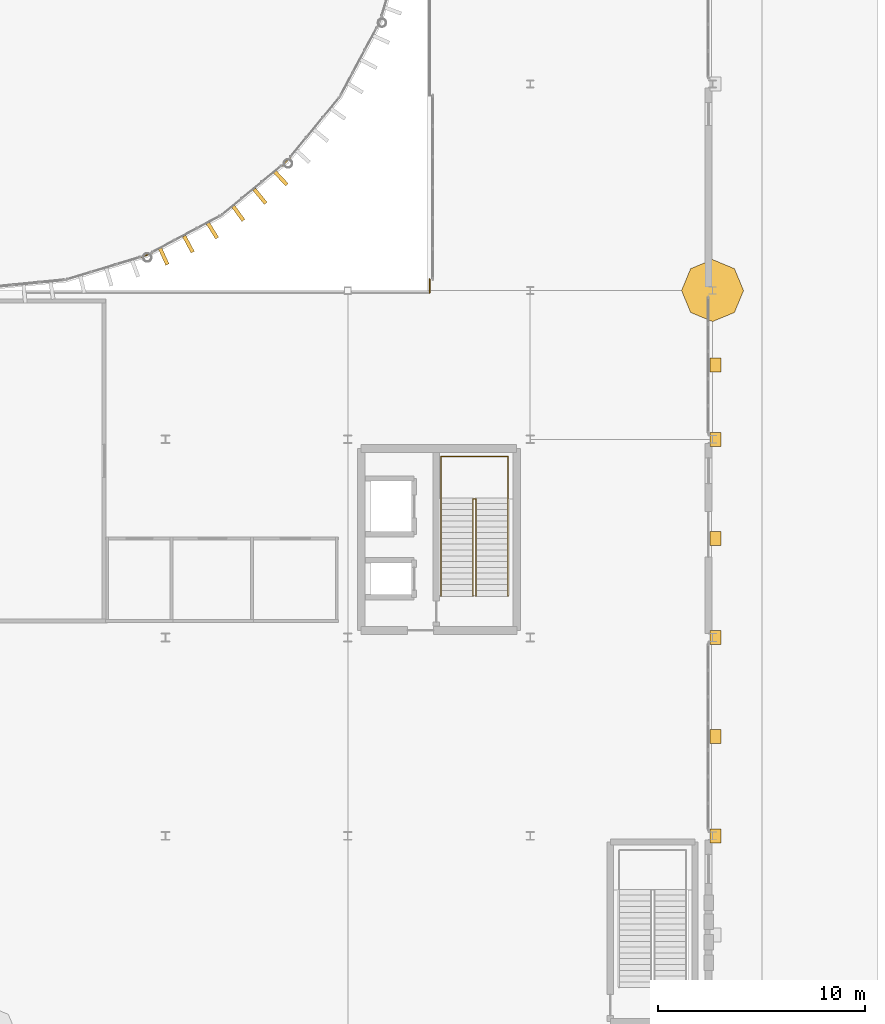
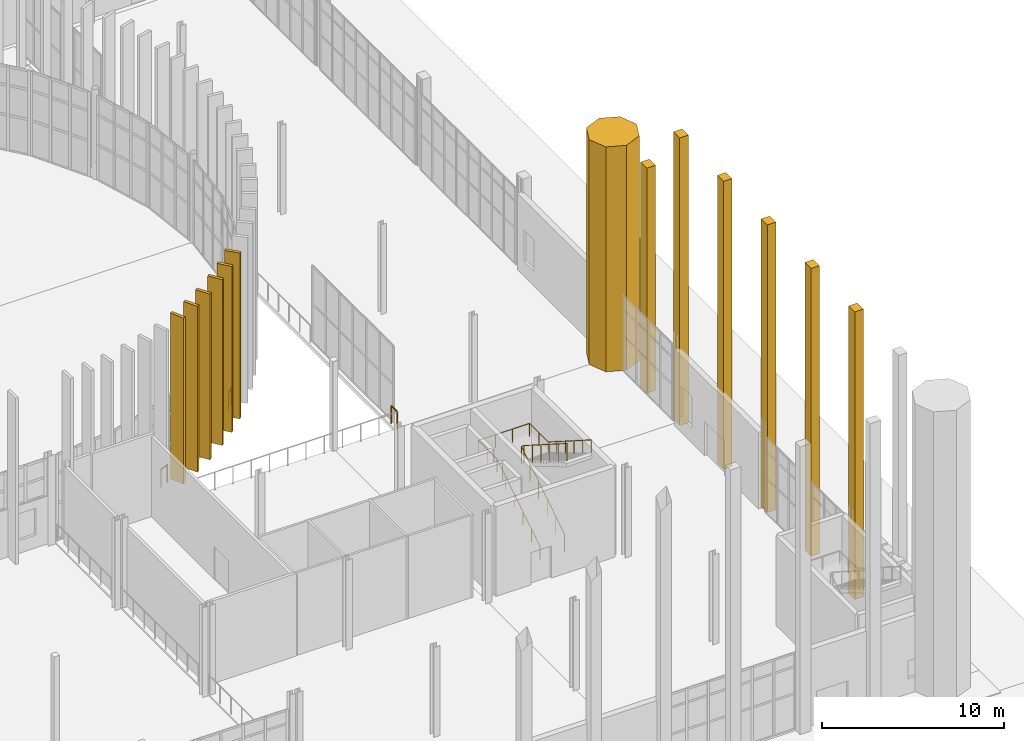
# One storey, part 129 of 139: 13 coverings, 5 railings.
"""IFC4 building model written with IfcOpenShell, lengths in metres."""

from ifc_helpers import new_model, si_unit, direction, frame, origin, origin_2d, place, context, subcontext, project, spatial, polyline, rectangle, circle, outline, extrude, material, layer, layer_set, type_object, element, save


model = new_model("IFC4")

# Units and contexts
model_context = context("Model", 3, precision=1e-05, world=origin(), true_north=direction((0.0, 1.0)))
body_context = subcontext(model_context, "Body", "Model", "MODEL_VIEW")
ifc_project = project(units=[si_unit("LENGTHUNIT", "METRE"), si_unit("AREAUNIT", "SQUARE_METRE"), si_unit("VOLUMEUNIT", "CUBIC_METRE"), si_unit("PLANEANGLEUNIT", "RADIAN"), si_unit("MASSUNIT", "GRAM", prefix="KILO")], contexts=[model_context])

# Site, building, storey
site_placement = place(None, origin())
site = spatial("IfcSite", under=ifc_project, at=site_placement, CompositionType="ELEMENT")
building_placement = place(site_placement, origin())
building = spatial("IfcBuilding", under=site, at=building_placement, Name="Yeouljin Market Hall", CompositionType="ELEMENT")
storey_placement = place(building_placement, origin())
storey = spatial("IfcBuildingStorey", under=building, at=storey_placement, Name="L00", CompositionType="ELEMENT", Elevation=0.0)

# Coverings
ifc_material_1 = material(Name="Clinker Brick Masonry F2-S2", Category="masonry")
ifc_layer_1 = layer(ifc_material_1, 0.5400390625)
ifc_layer_set_1 = layer_set([ifc_layer_1], Name="Clinker Brick Masonry F2-S2")
covering_type_1 = type_object("IfcCoveringType", Name="Covering_Clinker_PleatedPier", PredefinedType="CLADDING", material=ifc_layer_set_1)
covering_1_placement = place(storey_placement, origin())
element("IfcCovering", 1, at=covering_1_placement, inside=storey, type_object=covering_type_1, Name="Amsterdam School sculpted brick corner turret NE-V3", PredefinedType="CLADDING", context=body_context, shape_type="SweptSolid", body=[
    extrude(outline(polyline([(177.89990234375, 36.0), (177.460693359375, 37.060791015625), (176.39990234375, 37.5), (175.33935546875, 37.060791015625), (174.89990234375, 36.0), (175.33935546875, 34.939208984375), (176.39990234375, 34.5), (177.460693359375, 34.939208984375), (177.89990234375, 36.0)])), origin(), (0.0, 0.0, 1.0), 15.050048828125),
])
covering_2_placement = place(storey_placement, origin())
element("IfcCovering", 2, at=covering_2_placement, inside=storey, type_object=covering_type_1, Name="Pleated clinker-brick east facade pier E-023", PredefinedType="CLADDING", context=body_context, shape_type="SweptSolid", body=[
    extrude(outline(polyline([(176.280029296875, 9.260009765625), (176.820068359375, 9.260009765625), (176.820068359375, 9.93994140625), (176.280029296875, 9.93994140625), (176.280029296875, 9.260009765625)])), origin(), (0.0, 0.0, 1.0), 19.25),
])
covering_3_placement = place(storey_placement, origin())
element("IfcCovering", 3, at=covering_3_placement, inside=storey, type_object=covering_type_1, Name="Pleated clinker-brick east facade pier E-024", PredefinedType="CLADDING", context=body_context, shape_type="SweptSolid", body=[
    extrude(outline(polyline([(176.280029296875, 14.06005859375), (176.820068359375, 14.06005859375), (176.820068359375, 14.739990234375), (176.280029296875, 14.739990234375), (176.280029296875, 14.06005859375)])), origin(), (0.0, 0.0, 1.0), 19.25),
])
covering_4_placement = place(storey_placement, origin())
element("IfcCovering", 4, at=covering_4_placement, inside=storey, type_object=covering_type_1, Name="Pleated clinker-brick east facade pier E-025", PredefinedType="CLADDING", context=body_context, shape_type="SweptSolid", body=[
    extrude(outline(polyline([(176.280029296875, 18.860107421875), (176.820068359375, 18.860107421875), (176.820068359375, 19.5400390625), (176.280029296875, 19.5400390625), (176.280029296875, 18.860107421875)])), origin(), (0.0, 0.0, 1.0), 19.25),
])
covering_5_placement = place(storey_placement, origin())
element("IfcCovering", 5, at=covering_5_placement, inside=storey, type_object=covering_type_1, Name="Pleated clinker-brick east facade pier E-026", PredefinedType="CLADDING", context=body_context, shape_type="SweptSolid", body=[
    extrude(outline(polyline([(176.280029296875, 23.659912109375), (176.820068359375, 23.659912109375), (176.820068359375, 24.340087890625), (176.280029296875, 24.340087890625), (176.280029296875, 23.659912109375)])), origin(), (0.0, 0.0, 1.0), 19.25),
])
covering_6_placement = place(storey_placement, origin())
element("IfcCovering", 6, at=covering_6_placement, inside=storey, type_object=covering_type_1, Name="Pleated clinker-brick east facade pier E-027", PredefinedType="CLADDING", context=body_context, shape_type="SweptSolid", body=[
    extrude(outline(polyline([(176.280029296875, 28.4599609375), (176.820068359375, 28.4599609375), (176.820068359375, 29.139892578125), (176.280029296875, 29.139892578125), (176.280029296875, 28.4599609375)])), origin(), (0.0, 0.0, 1.0), 19.25),
])
covering_7_placement = place(storey_placement, origin())
element("IfcCovering", 7, at=covering_7_placement, inside=storey, type_object=covering_type_1, Name="Pleated clinker-brick east facade pier E-028", PredefinedType="CLADDING", context=body_context, shape_type="SweptSolid", body=[
    extrude(outline(polyline([(176.280029296875, 32.06005859375), (176.820068359375, 32.06005859375), (176.820068359375, 32.739990234375), (176.280029296875, 32.739990234375), (176.280029296875, 32.06005859375)])), origin(), (0.0, 0.0, 1.0), 15.050048828125),
])
ifc_material_2 = material(Name="White Limestone and Bronze Solar Fin", Category="masonry")
ifc_layer_2 = layer(ifc_material_2, 0.179931640625)
ifc_layer_set_2 = layer_set([ifc_layer_2], Name="White Limestone and Bronze Solar Fin")
covering_type_2 = type_object("IfcCoveringType", Name="Covering_Limestone_SolarFin", PredefinedType="CLADDING", material=ifc_layer_set_2)
for number, where, z_axis, x_axis, name in (
    (8, (149.82470703125, 37.658203125, 0.0), (0.0, 0.0, 1.0), (0.415169640396, -0.909744013277, 0.0), "Apse radial vertical lantern fin east 144"),
    (9, (151.02197265625, 38.25048828125, 0.0), (0.0, 0.0, 1.0), (0.47147369718, -0.881880123865, 0.0), "Apse radial vertical lantern fin east 145"),
    (10, (152.179443359375, 38.91650390625, 0.0), (0.0, 0.0, 1.0), (0.525917062677, -0.850535856496, 0.0), "Apse radial vertical lantern fin east 146"),
    (11, (153.4287109375, 39.75146484375, 0.0), (0.0, 0.0, 1.0), (0.584532922799, -0.811369990919, 0.0), "Apse radial vertical lantern fin east 147"),
    (12, (154.4873046875, 40.56591796875, 0.0), (0.0, 0.0, 1.0), (0.634460739636, -0.772955089162, 0.0), "Apse radial vertical lantern fin east 148"),
    (13, (155.492431640625, 41.445068359375, 0.0), (0.0, 0.0, 1.0), (0.681743027916, -0.731591719395, 0.0), "Apse radial vertical lantern fin east 149"),
):
    element("IfcCovering", number, at=place(storey_placement, frame(where, z_axis=z_axis, x_axis=x_axis)), inside=storey, type_object=covering_type_2, Name=name, PredefinedType="CLADDING", context=body_context, shape_type="SweptSolid", body=[
        extrude(rectangle(XDim=0.8798828125, YDim=0.179931640625, at=origin_2d()), origin(), (0.0, 0.0, 1.0), 11.10009765625),
    ])

# Railings
ifc_material_3 = material(Name="Wrought Iron and Bronze Gallery Balustrade")
railing_type_1 = type_object("IfcRailingType", Name="Railing_AtriumBalustrade_1200", PredefinedType="BALUSTRADE", material=ifc_material_3)
railing_1_placement = place(storey_placement, frame((162.699951171875, 35.89990234375, 0.0)))
element("IfcRailing", 14, at=railing_1_placement, inside=storey, type_object=railing_type_1, Name="Gallery & deck edge balustrade L00-001", PredefinedType="BALUSTRADE", context=body_context, shape_type="SweptSolid", body=[
    extrude(circle(Radius=0.02392578125, at=origin_2d()), frame((0.0, 0.0, 1.17578125), z_axis=(0.0, 1.0, 0.0), x_axis=(-1.0, 0.0, 0.0)), (0.0, 0.0, 1.0), 0.650146484375),
    extrude(circle(Radius=0.02099609375, at=origin_2d()), origin(), (0.0, 0.0, 1.0), 1.15185546875),
    extrude(circle(Radius=0.02099609375, at=origin_2d()), frame((0.0, 0.650146484375, 0.0)), (0.0, 0.0, 1.0), 1.15185546875),
])
railing_2_placement = place(storey_placement, frame((155.95703125, 42.439697265625, 0.0)))
element("IfcRailing", 15, at=railing_2_placement, inside=storey, type_object=railing_type_1, Name="Gallery & deck edge balustrade L00-031", PredefinedType="BALUSTRADE", context=body_context, shape_type="SweptSolid", body=[
    extrude(circle(Radius=0.02392578125, at=origin_2d()), frame((0.0, 0.0, 1.17578125), z_axis=(-0.707106781187, -0.707106781187, 0.0), x_axis=(0.707106781187, -0.707106781187, 0.0)), (0.0, 0.0, 1.0), 0.56103515625),
    extrude(circle(Radius=0.02099609375, at=origin_2d()), origin(), (0.0, 0.0, 1.0), 1.15185546875),
    extrude(circle(Radius=0.02099609375, at=origin_2d()), frame((-0.396728515625, -0.396728515625, 0.0)), (0.0, 0.0, 1.0), 1.15185546875),
])
railing_3_placement = place(storey_placement, frame((149.24658203125, 37.82421875, 0.0)))
element("IfcRailing", 16, at=railing_3_placement, inside=storey, type_object=railing_type_1, Name="Gallery & deck edge balustrade L00-032", PredefinedType="BALUSTRADE", context=body_context, shape_type="SweptSolid", body=[
    extrude(circle(Radius=0.02392578125, at=origin_2d()), frame((0.0, 0.0, 1.17578125), z_axis=(-0.924000932097, -0.382390216249, 0.0), x_axis=(0.382390216249, -0.924000932097, 0.0)), (0.0, 0.0, 1.0), 0.561279296875),
    extrude(circle(Radius=0.02099609375, at=origin_2d()), origin(), (0.0, 0.0, 1.0), 1.15185546875),
    extrude(circle(Radius=0.02099609375, at=origin_2d()), frame((-0.5185546875, -0.214599609375, 0.0)), (0.0, 0.0, 1.0), 1.15185546875),
])
ifc_material_4 = material(Name="Painted Steel Stair Guardrail", Category="steel")
railing_type_2 = type_object("IfcRailingType", Name="Railing_StairGuard_1200", PredefinedType="GUARDRAIL", material=ifc_material_4)
railing_4_placement = place(storey_placement, frame((164.7900390625, 21.199951171875, 0.0)))
element("IfcRailing", 17, at=railing_4_placement, inside=storey, type_object=railing_type_2, Name="Stair ST-C3-L00 inner well guardrail", PredefinedType="GUARDRAIL", context=body_context, shape_type="SweptSolid", body=[
    extrude(circle(Radius=0.02392578125, at=origin_2d()), frame((0.0, 0.0, 1.17578125), z_axis=(0.0, 0.84395435455, 0.536414995537), x_axis=(-1.0, 0.0, 0.0)), (0.0, 0.0, 1.0), 5.5927734375),
    extrude(circle(Radius=0.02392578125, at=origin_2d()), frame((0.0, 4.719970703125, 4.17578125), z_axis=(1.0, 0.0, 0.0), x_axis=(0.0, 1.0, 0.0)), (0.0, 0.0, 1.0), 0.159912109375),
    extrude(circle(Radius=0.02392578125, at=origin_2d()), frame((0.159912109375, 4.719970703125, 4.17578125), z_axis=(0.0, -0.84395435455, 0.536414995537), x_axis=(1.0, 0.0, 0.0)), (0.0, 0.0, 1.0), 5.5927734375),
    extrude(circle(Radius=0.02099609375, at=origin_2d()), origin(), (0.0, 0.0, 1.0), 1.15185546875),
    extrude(circle(Radius=0.02099609375, at=origin_2d()), frame((0.0, 0.944091796875, 0.60009765625)), (0.0, 0.0, 1.0), 1.15185546875),
    extrude(circle(Radius=0.02099609375, at=origin_2d()), frame((0.0, 1.887939453125, 1.199951171875)), (0.0, 0.0, 1.0), 1.15185546875),
    extrude(circle(Radius=0.02099609375, at=origin_2d()), frame((0.0, 2.83203125, 1.800048828125)), (0.0, 0.0, 1.0), 1.15185546875),
    extrude(circle(Radius=0.02099609375, at=origin_2d()), frame((0.0, 3.77587890625, 2.39990234375)), (0.0, 0.0, 1.0), 1.15185546875),
    extrude(circle(Radius=0.02099609375, at=origin_2d()), frame((0.0, 4.719970703125, 3.0)), (0.0, 0.0, 1.0), 1.15185546875),
    extrude(circle(Radius=0.02099609375, at=origin_2d()), frame((0.159912109375, 4.719970703125, 3.0)), (0.0, 0.0, 1.0), 1.15185546875),
    extrude(circle(Radius=0.02099609375, at=origin_2d()), frame((0.159912109375, 3.77587890625, 3.60009765625)), (0.0, 0.0, 1.0), 1.15185546875),
    extrude(circle(Radius=0.02099609375, at=origin_2d()), frame((0.159912109375, 2.83203125, 4.199951171875)), (0.0, 0.0, 1.0), 1.15185546875),
    extrude(circle(Radius=0.02099609375, at=origin_2d()), frame((0.159912109375, 1.887939453125, 4.800048828125)), (0.0, 0.0, 1.0), 1.15185546875),
    extrude(circle(Radius=0.02099609375, at=origin_2d()), frame((0.159912109375, 0.944091796875, 5.39990234375)), (0.0, 0.0, 1.0), 1.15185546875),
    extrude(circle(Radius=0.02099609375, at=origin_2d()), frame((0.159912109375, 0.0, 6.0)), (0.0, 0.0, 1.0), 1.15185546875),
])
ifc_material_5 = material(Name="Brushed Stainless Steel", Category="steel")
railing_type_3 = type_object("IfcRailingType", Name="Railing_StairHandrail_900", PredefinedType="HANDRAIL", material=ifc_material_5)
railing_5_placement = place(storey_placement, frame((163.25, 21.199951171875, 0.0)))
element("IfcRailing", 18, at=railing_5_placement, inside=storey, type_object=railing_type_3, Name="Stair ST-C3-L00 wall handrail", PredefinedType="HANDRAIL", context=body_context, shape_type="SweptSolid", body=[
    extrude(circle(Radius=0.02392578125, at=origin_2d()), frame((0.0, 0.0, 0.8759765625), z_axis=(0.0, 0.84395435455, 0.536414995537), x_axis=(-1.0, 0.0, 0.0)), (0.0, 0.0, 1.0), 5.5927734375),
    extrude(circle(Radius=0.02392578125, at=origin_2d()), frame((0.0, 4.719970703125, 3.8759765625), z_axis=(0.0, 1.0, 0.0), x_axis=(-1.0, 0.0, 0.0)), (0.0, 0.0, 1.0), 2.050048828125),
    extrude(circle(Radius=0.02392578125, at=origin_2d()), frame((0.0, 6.77001953125, 3.8759765625), z_axis=(1.0, 0.0, 0.0), x_axis=(0.0, 1.0, 0.0)), (0.0, 0.0, 1.0), 3.239990234375),
    extrude(circle(Radius=0.02392578125, at=origin_2d()), frame((3.239990234375, 6.77001953125, 3.8759765625), z_axis=(0.0, -1.0, 0.0), x_axis=(1.0, 0.0, 0.0)), (0.0, 0.0, 1.0), 2.050048828125),
    extrude(circle(Radius=0.02392578125, at=origin_2d()), frame((3.239990234375, 4.719970703125, 3.8759765625), z_axis=(0.0, -0.84395435455, 0.536414995537), x_axis=(1.0, 0.0, 0.0)), (0.0, 0.0, 1.0), 5.5927734375),
    extrude(circle(Radius=0.02099609375, at=origin_2d()), origin(), (0.0, 0.0, 1.0), 0.851806640625),
    extrude(circle(Radius=0.02099609375, at=origin_2d()), frame((0.0, 0.944091796875, 0.60009765625)), (0.0, 0.0, 1.0), 0.851806640625),
    extrude(circle(Radius=0.02099609375, at=origin_2d()), frame((0.0, 1.887939453125, 1.199951171875)), (0.0, 0.0, 1.0), 0.851806640625),
    extrude(circle(Radius=0.02099609375, at=origin_2d()), frame((0.0, 2.83203125, 1.800048828125)), (0.0, 0.0, 1.0), 0.851806640625),
    extrude(circle(Radius=0.02099609375, at=origin_2d()), frame((0.0, 3.77587890625, 2.39990234375)), (0.0, 0.0, 1.0), 0.851806640625),
    extrude(circle(Radius=0.02099609375, at=origin_2d()), frame((0.0, 4.719970703125, 3.0)), (0.0, 0.0, 1.0), 0.851806640625),
    extrude(circle(Radius=0.02099609375, at=origin_2d()), frame((0.0, 5.7451171875, 3.0)), (0.0, 0.0, 1.0), 0.851806640625),
    extrude(circle(Radius=0.02099609375, at=origin_2d()), frame((0.0, 6.77001953125, 3.0)), (0.0, 0.0, 1.0), 0.851806640625),
    extrude(circle(Radius=0.02099609375, at=origin_2d()), frame((1.080078125, 6.77001953125, 3.0)), (0.0, 0.0, 1.0), 0.851806640625),
    extrude(circle(Radius=0.02099609375, at=origin_2d()), frame((2.159912109375, 6.77001953125, 3.0)), (0.0, 0.0, 1.0), 0.851806640625),
    extrude(circle(Radius=0.02099609375, at=origin_2d()), frame((3.239990234375, 6.77001953125, 3.0)), (0.0, 0.0, 1.0), 0.851806640625),
    extrude(circle(Radius=0.02099609375, at=origin_2d()), frame((3.239990234375, 5.7451171875, 3.0)), (0.0, 0.0, 1.0), 0.851806640625),
    extrude(circle(Radius=0.02099609375, at=origin_2d()), frame((3.239990234375, 4.719970703125, 3.0)), (0.0, 0.0, 1.0), 0.851806640625),
    extrude(circle(Radius=0.02099609375, at=origin_2d()), frame((3.239990234375, 3.77587890625, 3.60009765625)), (0.0, 0.0, 1.0), 0.851806640625),
    extrude(circle(Radius=0.02099609375, at=origin_2d()), frame((3.239990234375, 2.83203125, 4.199951171875)), (0.0, 0.0, 1.0), 0.851806640625),
    extrude(circle(Radius=0.02099609375, at=origin_2d()), frame((3.239990234375, 1.887939453125, 4.800048828125)), (0.0, 0.0, 1.0), 0.851806640625),
    extrude(circle(Radius=0.02099609375, at=origin_2d()), frame((3.239990234375, 0.944091796875, 5.39990234375)), (0.0, 0.0, 1.0), 0.851806640625),
    extrude(circle(Radius=0.02099609375, at=origin_2d()), frame((3.239990234375, 0.0, 6.0)), (0.0, 0.0, 1.0), 0.851806640625),
])

save(model, "model.ifc")
